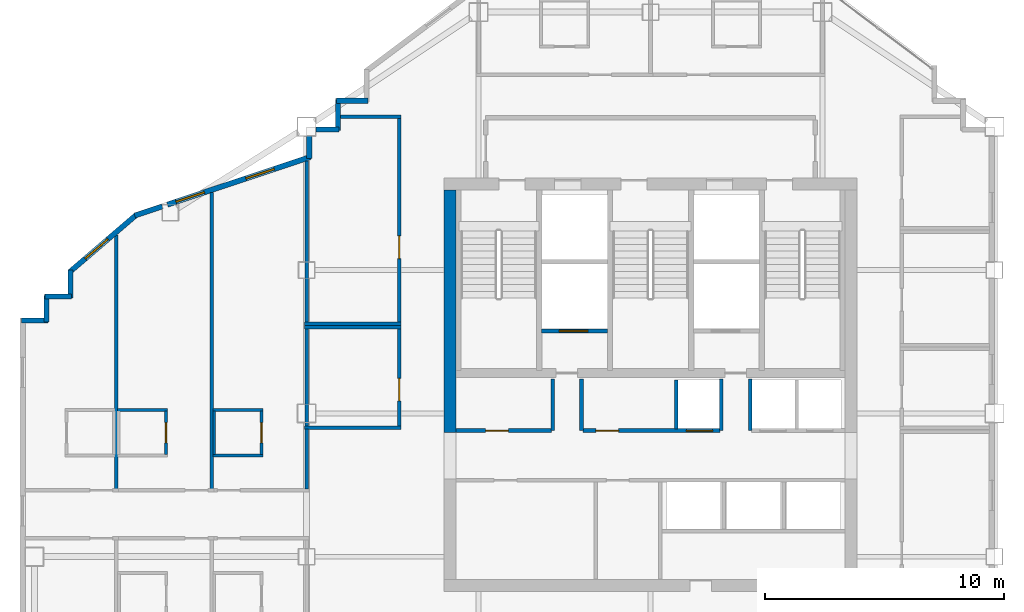
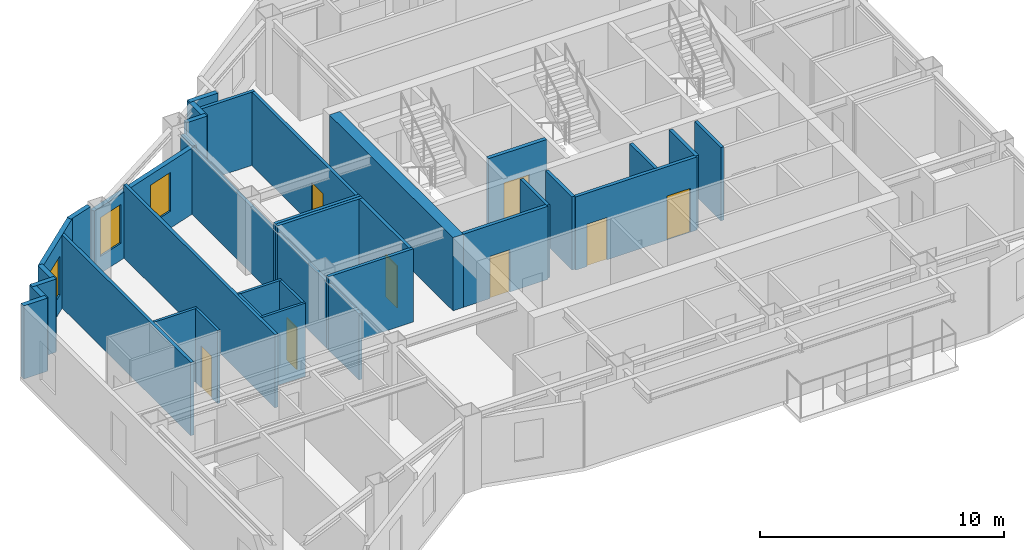
# One storey, part 6 of 10: 37 walls, 8 doors, 3 windows, 11 openings.
"""IFC4 building model written with IfcOpenShell, lengths in metres."""

from ifc_helpers import new_model, si_unit, direction, frame, frame_2d, origin, place, context, subcontext, project, spatial, rectangle, extrude, material, layer, layer_set, type_object, element, fill, save


model = new_model("IFC4")

# Units and contexts
model_context = context("Model", 3, precision=1e-05, world=origin(), true_north=direction((0.0, 1.0)))
body_context = subcontext(model_context, "Body", "Model", "MODEL_VIEW")
ifc_project = project(units=[si_unit("LENGTHUNIT", "METRE"), si_unit("AREAUNIT", "SQUARE_METRE"), si_unit("VOLUMEUNIT", "CUBIC_METRE"), si_unit("PLANEANGLEUNIT", "RADIAN"), si_unit("MASSUNIT", "GRAM", prefix="KILO")], contexts=[model_context])

# Site, building, storey
site_placement = place(None, origin())
site = spatial("IfcSite", under=ifc_project, at=site_placement, CompositionType="ELEMENT")
building_placement = place(site_placement, origin())
building = spatial("IfcBuilding", under=site, at=building_placement, Name="Haolan Belvedere Tower", CompositionType="ELEMENT")
storey_placement = place(building_placement, frame((0.0, 0.0, 258.300048828125)))
storey = spatial("IfcBuildingStorey", under=building, at=storey_placement, Name="L65", CompositionType="ELEMENT", Elevation=258.300048828125)

# Walls
ifc_material_1 = material(Name="Concrete C50/60", Category="concrete")
ifc_layer_1 = layer(ifc_material_1, 0.5, Name="Concrete C50/60")
ifc_layer_set_1 = layer_set([ifc_layer_1], Name="Concrete C50/60")
wall_type_1 = type_object("IfcWallType", Name="WL-CORE-500", PredefinedType="SHEAR", material=ifc_layer_set_1)
wall_1_placement = place(storey_placement, frame((30.0, 32.800048828125, 0.0), z_axis=(0.0, 0.0, 1.0), x_axis=(0.0, 1.0, 0.0)))
element("IfcWall", 1, at=wall_1_placement, inside=storey, type_object=wall_type_1, Name="L65 central core shear wall WN", PredefinedType="SHEAR", context=body_context, shape_type="SweptSolid", body=[
    extrude(rectangle(XDim=10.14990234375, YDim=0.5, at=frame_2d((5.074951171875, 0.0))), origin(), (0.0, 0.0, 1.0), 3.669921875),
])
ifc_material_2 = material(Name="Precast concrete C40/50", Category="concrete")
ifc_layer_2 = layer(ifc_material_2, 0.219970703125, Name="Precast concrete C40/50")
ifc_layer_set_2 = layer_set([ifc_layer_2], Name="Precast concrete C40/50")
wall_type_2 = type_object("IfcWallType", Name="WL-EXT-220", PredefinedType="SOLIDWALL", material=ifc_layer_set_2)
for number, where, z_axis, x_axis, name in (
    (2, (26.56494140625, 46.68994140625, 0.0), (0.0, 0.0, 1.0), (-1.0, 0.0, 0.0), "L65 pale-metal exterior spandrel wall 13.1"),
    (3, (25.31005859375, 46.7451171875, 0.0), (0.0, 0.0, 1.0), (0.0, -1.0, 0.0), "L65 pale-metal exterior spandrel wall 14.1"),
):
    element("IfcWall", number, at=place(storey_placement, frame(where, z_axis=z_axis, x_axis=x_axis)), inside=storey, type_object=wall_type_2, Name=name, PredefinedType="SOLIDWALL", context=body_context, shape_type="SweptSolid", body=[
        extrude(rectangle(XDim=1.31005859375, YDim=0.219970703125, at=frame_2d((0.655029296875, 0.0))), origin(), (0.0, 0.0, 1.0), 3.669921875),
    ])
wall_2_placement = place(storey_placement, frame((25.364990234375, 45.489990234375, 0.0), z_axis=(0.0, 0.0, 1.0), x_axis=(-1.0, 0.0, 0.0)))
element("IfcWall", 4, at=wall_2_placement, inside=storey, type_object=wall_type_2, Name="L65 pale-metal exterior spandrel wall 15.1", PredefinedType="SOLIDWALL", context=body_context, shape_type="SweptSolid", body=[
    extrude(rectangle(XDim=0.972900390625, YDim=0.219970703125, at=frame_2d((0.486328125, 0.0))), origin(), (0.0, 0.0, 1.0), 3.669921875),
])
wall_3_placement = place(storey_placement, frame((24.110107421875, 45.2080078125, 0.0), z_axis=(0.0, 0.0, 1.0), x_axis=(0.0, -1.0, 0.0)))
element("IfcWall", 5, at=wall_3_placement, inside=storey, type_object=wall_type_2, Name="L65 pale-metal exterior spandrel wall 16.1", PredefinedType="SOLIDWALL", context=body_context, shape_type="SweptSolid", body=[
    extrude(rectangle(XDim=0.9423828125, YDim=0.219970703125, at=frame_2d((0.47119140625, 0.0))), origin(), (0.0, 0.0, 1.0), 3.31494140625),
])

# Wall, openings, windows
wall_4_placement = place(storey_placement, frame((24.162109375, 44.338134765625, 0.0), z_axis=(0.0, 0.0, 1.0), x_axis=(-0.948687165594, -0.31621616315, 0.0)))
wall_4 = element("IfcWall", 6, at=wall_4_placement, inside=storey, type_object=wall_type_2, Name="L65 pale-metal exterior spandrel wall 17.1", PredefinedType="SOLIDWALL", context=body_context, shape_type="SweptSolid", body=[
    extrude(rectangle(XDim=6.3125, YDim=0.219970703125, at=frame_2d((3.15625, 0.0))), origin(), (0.0, 0.0, 1.0), 3.31494140625),
])
opening_1_placement = place(wall_4_placement, frame((1.60009765625, 0.0, 0.85009765625)))
opening_1 = element("IfcOpeningElement", 7, at=opening_1_placement, cuts=wall_4, Name="Opening W-04", PredefinedType="OPENING", context=body_context, shape_type="SweptSolid", body=[
    extrude(rectangle(XDim=1.25, YDim=1.949951171875, at=frame_2d((0.625, 0.97509765625))), frame((0.0, 0.119873046875, 0.0), z_axis=(0.0, -1.0, 0.0), x_axis=(1.0, 0.0, 0.0)), (0.0, 0.0, 1.0), 0.239990234375),
])
opening_2_placement = place(wall_4_placement, frame((4.68212890625, 0.0, 0.85009765625)))
opening_2 = element("IfcOpeningElement", 8, at=opening_2_placement, cuts=wall_4, Name="Opening W-04", PredefinedType="OPENING", context=body_context, shape_type="SweptSolid", body=[
    extrude(rectangle(XDim=1.25, YDim=1.949951171875, at=frame_2d((0.625, 0.97509765625))), frame((0.0, 0.119873046875, 0.0), z_axis=(0.0, -1.0, 0.0), x_axis=(1.0, 0.0, 0.0)), (0.0, 0.0, 1.0), 0.239990234375),
])
ifc_material_3 = material(Name="Anodised aluminium 6063-T6 and Low-E glass", Category="aluminium")
window_type = type_object("IfcWindowType", Name="WN-DECO-Z4", PartitioningType="SINGLE_PANEL", PredefinedType="WINDOW", material=ifc_material_3)
window_1_placement = place(opening_1_placement, origin())
window_1 = element("IfcWindow", 9, at=window_1_placement, inside=storey, type_object=window_type, Name="L65 Art Deco chevron window 1", OverallHeight=1.949951171875, OverallWidth=1.25, PartitioningType="SINGLE_PANEL", PredefinedType="WINDOW", context=body_context, shape_type="SweptSolid", body=[
    extrude(rectangle(XDim=1.25, YDim=1.949951171875, at=frame_2d((0.625, 0.97509765625))), frame((0.0, 0.030029296875, 0.0), z_axis=(0.0, -1.0, 0.0), x_axis=(1.0, 0.0, 0.0)), (0.0, 0.0, 1.0), 0.06005859375),
])
fill(opening_1, window_1)
window_2_placement = place(opening_2_placement, origin())
window_2 = element("IfcWindow", 10, at=window_2_placement, inside=storey, type_object=window_type, Name="L65 Art Deco guestroom window 1", OverallHeight=1.949951171875, OverallWidth=1.25, PartitioningType="SINGLE_PANEL", PredefinedType="WINDOW", context=body_context, shape_type="SweptSolid", body=[
    extrude(rectangle(XDim=1.25, YDim=1.949951171875, at=frame_2d((0.625, 0.97509765625))), frame((0.0, 0.030029296875, 0.0), z_axis=(0.0, -1.0, 0.0), x_axis=(1.0, 0.0, 0.0)), (0.0, 0.0, 1.0), 0.06005859375),
])
fill(opening_2, window_2)

# Wall
wall_5_placement = place(storey_placement, frame((17.9580078125, 42.27001953125, 0.0), z_axis=(0.0, 0.0, 1.0), x_axis=(-0.948683298051, -0.316227766017, 0.0)))
element("IfcWall", 11, at=wall_5_placement, inside=storey, type_object=wall_type_2, Name="L65 pale-metal exterior spandrel wall 17.2", PredefinedType="SOLIDWALL", context=body_context, shape_type="SweptSolid", body=[
    extrude(rectangle(XDim=1.217529296875, YDim=0.219970703125, at=frame_2d((0.60888671875, 0.0))), origin(), (0.0, 0.0, 1.0), 3.669921875),
])

# Wall, opening, window
wall_6_placement = place(storey_placement, frame((16.89697265625, 41.938232421875, 0.0), z_axis=(0.0, 0.0, 1.0), x_axis=(-0.759279729622, -0.650764390686, 0.0)))
wall_6 = element("IfcWall", 12, at=wall_6_placement, inside=storey, type_object=wall_type_2, Name="L65 pale-metal exterior spandrel wall 18.1", PredefinedType="SOLIDWALL", context=body_context, shape_type="SweptSolid", body=[
    extrude(rectangle(XDim=3.725830078125, YDim=0.219970703125, at=frame_2d((1.86279296875, 0.0))), origin(), (0.0, 0.0, 1.0), 3.669921875),
])
opening_3_placement = place(wall_6_placement, frame((1.60009765625, 0.0, 0.85009765625)))
opening_3 = element("IfcOpeningElement", 13, at=opening_3_placement, cuts=wall_6, Name="Opening W-04", PredefinedType="OPENING", context=body_context, shape_type="SweptSolid", body=[
    extrude(rectangle(XDim=1.25, YDim=1.949951171875, at=frame_2d((0.625, 0.97509765625))), frame((0.0, 0.119873046875, 0.0), z_axis=(0.0, -1.0, 0.0), x_axis=(1.0, 0.0, 0.0)), (0.0, 0.0, 1.0), 0.239990234375),
])
window_3_placement = place(opening_3_placement, origin())
window_3 = element("IfcWindow", 14, at=window_3_placement, inside=storey, type_object=window_type, Name="L65 Art Deco chevron window 1", OverallHeight=1.949951171875, OverallWidth=1.25, PartitioningType="SINGLE_PANEL", PredefinedType="WINDOW", context=body_context, shape_type="SweptSolid", body=[
    extrude(rectangle(XDim=1.25, YDim=1.949951171875, at=frame_2d((0.625, 0.97509765625))), frame((0.0, 0.030029296875, 0.0), z_axis=(0.0, -1.0, 0.0), x_axis=(1.0, 0.0, 0.0)), (0.0, 0.0, 1.0), 0.06005859375),
])
fill(opening_3, window_3)

# Walls
wall_7_placement = place(storey_placement, frame((14.110107421875, 39.6044921875, 0.0), z_axis=(0.0, 0.0, 1.0), x_axis=(0.0, -1.0, 0.0)))
element("IfcWall", 15, at=wall_7_placement, inside=storey, type_object=wall_type_2, Name="L65 pale-metal exterior spandrel wall 19.1", PredefinedType="SOLIDWALL", context=body_context, shape_type="SweptSolid", body=[
    extrude(rectangle(XDim=1.16943359375, YDim=0.219970703125, at=frame_2d((0.584716796875, 0.0))), origin(), (0.0, 0.0, 1.0), 3.669921875),
])
wall_8_placement = place(storey_placement, frame((14.1650390625, 38.489990234375, 0.0), z_axis=(0.0, 0.0, 1.0), x_axis=(-1.0, 0.0, 0.0)))
element("IfcWall", 16, at=wall_8_placement, inside=storey, type_object=wall_type_2, Name="L65 pale-metal exterior spandrel wall 20.1", PredefinedType="SOLIDWALL", context=body_context, shape_type="SweptSolid", body=[
    extrude(rectangle(XDim=1.110107421875, YDim=0.219970703125, at=frame_2d((0.55517578125, 0.0))), origin(), (0.0, 0.0, 1.0), 3.669921875),
])
wall_9_placement = place(storey_placement, frame((13.110107421875, 38.544921875, 0.0), z_axis=(0.0, 0.0, 1.0), x_axis=(0.0, -1.0, 0.0)))
element("IfcWall", 17, at=wall_9_placement, inside=storey, type_object=wall_type_2, Name="L65 pale-metal exterior spandrel wall 21.1", PredefinedType="SOLIDWALL", context=body_context, shape_type="SweptSolid", body=[
    extrude(rectangle(XDim=1.10986328125, YDim=0.219970703125, at=frame_2d((0.554931640625, 0.0))), origin(), (0.0, 0.0, 1.0), 3.669921875),
])
wall_10_placement = place(storey_placement, frame((13.1650390625, 37.489990234375, 0.0), z_axis=(0.0, 0.0, 1.0), x_axis=(-1.0, 0.0, 0.0)))
element("IfcWall", 18, at=wall_10_placement, inside=storey, type_object=wall_type_2, Name="L65 pale-metal exterior spandrel wall 22.1", PredefinedType="SOLIDWALL", context=body_context, shape_type="SweptSolid", body=[
    extrude(rectangle(XDim=1.110107421875, YDim=0.219970703125, at=frame_2d((0.55517578125, 0.0))), origin(), (0.0, 0.0, 1.0), 3.669921875),
])
ifc_material_4 = material(Name="Double gypsum acoustic stud partition", Category="masonry")
ifc_layer_3 = layer(ifc_material_4, 0.14990234375, Name="Double gypsum acoustic stud partition")
ifc_layer_set_3 = layer_set([ifc_layer_3], Name="Double gypsum acoustic stud partition")
wall_type_3 = type_object("IfcWallType", Name="WL-PART-150", PredefinedType="PARTITIONING", material=ifc_layer_set_3)
for number, where, z_axis, x_axis, name in (
    (19, (23.919921875, 37.199951171875, 0.0), (0.0, 0.0, 1.0), (1.0, 0.0, 0.0), "L65 interior partition IW-L65-HSK-N"),
    (20, (23.919921875, 33.0, 0.0), (0.0, 0.0, 1.0), (1.0, 0.0, 0.0), "L65 interior partition IW-L65-HSK-S"),
):
    element("IfcWall", number, at=place(storey_placement, frame(where, z_axis=z_axis, x_axis=x_axis)), inside=storey, type_object=wall_type_3, Name=name, PredefinedType="PARTITIONING", context=body_context, shape_type="SweptSolid", body=[
        extrude(rectangle(XDim=4.0400390625, YDim=0.14990234375, at=frame_2d((2.02001953125, 0.0))), origin(), (0.0, 0.0, 1.0), 3.669921875),
    ])
wall_11_placement = place(storey_placement, frame((24.0, 33.06005859375, 0.0), z_axis=(0.0, 0.0, 1.0), x_axis=(0.0, 1.0, 0.0)))
element("IfcWall", 21, at=wall_11_placement, inside=storey, type_object=wall_type_3, Name="L65 interior partition IW-L65-HSK-W", PredefinedType="PARTITIONING", context=body_context, shape_type="SweptSolid", body=[
    extrude(rectangle(XDim=4.079833984375, YDim=0.14990234375, at=frame_2d((2.0400390625, 0.0))), origin(), (0.0, 0.0, 1.0), 3.31494140625),
])

# Wall, opening, door
wall_12_placement = place(storey_placement, frame((27.8798828125, 33.06005859375, 0.0), z_axis=(0.0, 0.0, 1.0), x_axis=(0.0, 1.0, 0.0)))
wall_12 = element("IfcWall", 22, at=wall_12_placement, inside=storey, type_object=wall_type_3, Name="L65 interior partition IW-L65-HSK-E", PredefinedType="PARTITIONING", context=body_context, shape_type="SweptSolid", body=[
    extrude(rectangle(XDim=4.079833984375, YDim=0.14990234375, at=frame_2d((2.0400390625, 0.0))), origin(), (0.0, 0.0, 1.0), 3.669921875),
])
opening_4_placement = place(wall_12_placement, frame((2.010009765625, 0.0, 0.0), z_axis=(0.0, 0.0, 1.0), x_axis=(-1.0, 0.0, 0.0)))
opening_4 = element("IfcOpeningElement", 23, at=opening_4_placement, cuts=wall_12, Name="Opening ID-03", PredefinedType="OPENING", context=body_context, shape_type="SweptSolid", body=[
    extrude(rectangle(XDim=0.949951171875, YDim=2.1201171875, at=frame_2d((0.47509765625, 1.06005859375))), frame((0.0, 0.0849609375, 0.0), z_axis=(0.0, -1.0, 0.0), x_axis=(1.0, 0.0, 0.0)), (0.0, 0.0, 1.0), 0.169921875),
])
ifc_material_5 = material(Name="Painted solid-core timber", Category="wood")
door_type_1 = type_object("IfcDoorType", Name="DR-INT-950", OperationType="NOTDEFINED", PredefinedType="DOOR", material=ifc_material_5)
door_1_placement = place(opening_4_placement, origin())
door_1 = element("IfcDoor", 24, at=door_1_placement, inside=storey, type_object=door_type_1, Name="L65 door ID-L65-HSK", OperationType="SINGLE_SWING_LEFT", OverallHeight=2.1201171875, OverallWidth=0.949951171875, PredefinedType="DOOR", context=body_context, shape_type="SweptSolid", body=[
    extrude(rectangle(XDim=0.949951171875, YDim=2.1201171875, at=frame_2d((0.47509765625, 1.06005859375))), frame((0.0, 0.02490234375, 0.0), z_axis=(0.0, -1.0, 0.0), x_axis=(1.0, 0.0, 0.0)), (0.0, 0.0, 1.0), 0.050048828125),
])
fill(opening_4, door_1)

# Walls
wall_13_placement = place(storey_placement, frame((25.412109375, 46.02001953125, 0.0), z_axis=(0.0, 0.0, 1.0), x_axis=(1.0, 0.0, 0.0)))
element("IfcWall", 25, at=wall_13_placement, inside=storey, type_object=wall_type_3, Name="L65 interior partition IW-L65-MTG-N", PredefinedType="PARTITIONING", context=body_context, shape_type="SweptSolid", body=[
    extrude(rectangle(XDim=2.5478515625, YDim=0.14990234375, at=frame_2d((1.27392578125, 0.0))), origin(), (0.0, 0.0, 1.0), 3.669921875),
])
wall_14_placement = place(storey_placement, frame((23.919921875, 37.360107421875, 0.0), z_axis=(0.0, 0.0, 1.0), x_axis=(1.0, 0.0, 0.0)))
element("IfcWall", 26, at=wall_14_placement, inside=storey, type_object=wall_type_3, Name="L65 interior partition IW-L65-MTG-S", PredefinedType="PARTITIONING", context=body_context, shape_type="SweptSolid", body=[
    extrude(rectangle(XDim=4.0400390625, YDim=0.14990234375, at=frame_2d((2.02001953125, 0.0))), origin(), (0.0, 0.0, 1.0), 3.669921875),
])
wall_15_placement = place(storey_placement, frame((24.0, 37.419921875, 0.0), z_axis=(0.0, 0.0, 1.0), x_axis=(0.0, 1.0, 0.0)))
element("IfcWall", 27, at=wall_15_placement, inside=storey, type_object=wall_type_3, Name="L65 interior partition IW-L65-MTG-W", PredefinedType="PARTITIONING", context=body_context, shape_type="SweptSolid", body=[
    extrude(rectangle(XDim=6.756591796875, YDim=0.14990234375, at=frame_2d((3.37841796875, 0.0))), origin(), (0.0, 0.0, 1.0), 3.31494140625),
])

# Wall, opening, door
wall_16_placement = place(storey_placement, frame((27.8798828125, 37.419921875, 0.0), z_axis=(0.0, 0.0, 1.0), x_axis=(0.0, 1.0, 0.0)))
wall_16 = element("IfcWall", 28, at=wall_16_placement, inside=storey, type_object=wall_type_3, Name="L65 interior partition IW-L65-MTG-E", PredefinedType="PARTITIONING", context=body_context, shape_type="SweptSolid", body=[
    extrude(rectangle(XDim=8.5400390625, YDim=0.14990234375, at=frame_2d((4.27001953125, 0.0))), origin(), (0.0, 0.0, 1.0), 3.669921875),
])
opening_5_placement = place(wall_16_placement, frame((3.60986328125, 0.0, 0.0), z_axis=(0.0, 0.0, 1.0), x_axis=(-1.0, 0.0, 0.0)))
opening_5 = element("IfcOpeningElement", 29, at=opening_5_placement, cuts=wall_16, Name="Opening ID-03", PredefinedType="OPENING", context=body_context, shape_type="SweptSolid", body=[
    extrude(rectangle(XDim=0.949951171875, YDim=2.1201171875, at=frame_2d((0.47509765625, 1.06005859375))), frame((0.0, 0.0849609375, 0.0), z_axis=(0.0, -1.0, 0.0), x_axis=(1.0, 0.0, 0.0)), (0.0, 0.0, 1.0), 0.169921875),
])
door_2_placement = place(opening_5_placement, origin())
door_2 = element("IfcDoor", 30, at=door_2_placement, inside=storey, type_object=door_type_1, Name="L65 door ID-L65-MTG", OperationType="SINGLE_SWING_RIGHT", OverallHeight=2.1201171875, OverallWidth=0.949951171875, PredefinedType="DOOR", context=body_context, shape_type="SweptSolid", body=[
    extrude(rectangle(XDim=0.949951171875, YDim=2.1201171875, at=frame_2d((0.47509765625, 1.06005859375))), frame((0.0, 0.02490234375, 0.0), z_axis=(0.0, -1.0, 0.0), x_axis=(1.0, 0.0, 0.0)), (0.0, 0.0, 1.0), 0.050048828125),
])
fill(opening_5, door_2)

# Walls
wall_17_placement = place(storey_placement, frame((16.030029296875, 30.43994140625, 0.0), z_axis=(0.0, 0.0, 1.0), x_axis=(0.0, 1.0, 0.0)))
element("IfcWall", 31, at=wall_17_placement, inside=storey, type_object=wall_type_3, Name="L65 interior partition IW-L65-T2N1-E", PredefinedType="PARTITIONING", context=body_context, shape_type="SweptSolid", body=[
    extrude(rectangle(XDim=10.620849609375, YDim=0.14990234375, at=frame_2d((5.310546875, 0.0))), origin(), (0.0, 0.0, 1.0), 3.669921875),
])
wall_18_placement = place(storey_placement, frame((20.02001953125, 30.43994140625, 0.0), z_axis=(0.0, 0.0, 1.0), x_axis=(0.0, 1.0, 0.0)))
element("IfcWall", 32, at=wall_18_placement, inside=storey, type_object=wall_type_3, Name="L65 interior partition IW-L65-T2N2-E", PredefinedType="PARTITIONING", context=body_context, shape_type="SweptSolid", body=[
    extrude(rectangle(XDim=12.409912109375, YDim=0.14990234375, at=frame_2d((6.205078125, 0.0))), origin(), (0.0, 0.0, 1.0), 3.669921875),
])
wall_19_placement = place(storey_placement, frame((24.0, 30.43994140625, 0.0), z_axis=(0.0, 0.0, 1.0), x_axis=(0.0, 1.0, 0.0)))
element("IfcWall", 33, at=wall_19_placement, inside=storey, type_object=wall_type_3, Name="L65 interior partition IW-L65-T2N3-E", PredefinedType="PARTITIONING", context=body_context, shape_type="SweptSolid", body=[
    extrude(rectangle(XDim=2.5, YDim=0.14990234375, at=frame_2d((1.25, 0.0))), origin(), (0.0, 0.0, 1.0), 3.31494140625),
])
ifc_material_6 = material(Name="Gypsum fire shaftwall assembly", Category="masonry")
ifc_layer_4 = layer(ifc_material_6, 0.1650390625, Name="Gypsum fire shaftwall assembly")
ifc_layer_set_4 = layer_set([ifc_layer_4], Name="Gypsum fire shaftwall assembly")
wall_type_4 = type_object("IfcWallType", Name="WL-SHAFT-160", PredefinedType="SOLIDWALL", material=ifc_layer_set_4)
for number, where, z_axis, x_axis, name in (
    (34, (34.31005859375, 32.8798828125, 0.0), (0.0, 0.0, 1.0), (0.0, 1.0, 0.0), "L65 interior partition IW-L65-SVP-W-SV1"),
    (35, (35.510009765625, 32.8798828125, 0.0), (0.0, 0.0, 1.0), (0.0, 1.0, 0.0), "L65 interior partition IW-L65-SVP-E-SV1"),
    (36, (41.3701171875, 32.8798828125, 0.0), (0.0, 0.0, 1.0), (0.0, 1.0, 0.0), "L65 interior partition IW-L65-SVP-W-SV2"),
    (37, (42.570068359375, 32.8798828125, 0.0), (0.0, 0.0, 1.0), (0.0, 1.0, 0.0), "L65 interior partition IW-L65-SVP-E-SV2"),
):
    element("IfcWall", number, at=place(storey_placement, frame(where, z_axis=z_axis, x_axis=x_axis)), inside=storey, type_object=wall_type_4, Name=name, PredefinedType="SOLIDWALL", context=body_context, shape_type="SweptSolid", body=[
        extrude(rectangle(XDim=2.170166015625, YDim=0.14990234375, at=frame_2d((1.0849609375, 0.0))), origin(), (0.0, 0.0, 1.0), 3.669921875),
    ])

# Wall, opening, door
wall_20_placement = place(storey_placement, frame((30.25, 32.8798828125, 0.0), z_axis=(0.0, 0.0, 1.0), x_axis=(1.0, 0.0, 0.0)))
wall_20 = element("IfcWall", 38, at=wall_20_placement, inside=storey, type_object=wall_type_4, Name="L65 interior partition IW-L65-ROW-PN1", PredefinedType="SOLIDWALL", context=body_context, shape_type="SweptSolid", body=[
    extrude(rectangle(XDim=4.0, YDim=0.159912109375, at=frame_2d((2.0, 0.0))), origin(), (0.0, 0.0, 1.0), 3.669921875),
])
opening_6_placement = place(wall_20_placement, frame((2.199951171875, 0.0, 0.0), z_axis=(0.0, 0.0, 1.0), x_axis=(-1.0, 0.0, 0.0)))
opening_6 = element("IfcOpeningElement", 39, at=opening_6_placement, cuts=wall_20, Name="Opening ID-03", PredefinedType="OPENING", context=body_context, shape_type="SweptSolid", body=[
    extrude(rectangle(XDim=0.949951171875, YDim=2.1201171875, at=frame_2d((0.47509765625, 1.06005859375))), frame((0.0, 0.08984375, 0.0), z_axis=(0.0, -1.0, 0.0), x_axis=(1.0, 0.0, 0.0)), (0.0, 0.0, 1.0), 0.179931640625),
])
door_3_placement = place(opening_6_placement, origin())
door_3 = element("IfcDoor", 40, at=door_3_placement, inside=storey, type_object=door_type_1, Name="L65 door ID-L65-CD-RPLW", OperationType="SINGLE_SWING_LEFT", OverallHeight=2.1201171875, OverallWidth=0.949951171875, PredefinedType="DOOR", context=body_context, shape_type="SweptSolid", body=[
    extrude(rectangle(XDim=0.949951171875, YDim=2.1201171875, at=frame_2d((0.47509765625, 1.06005859375))), frame((0.0, 0.02490234375, 0.0), z_axis=(0.0, -1.0, 0.0), x_axis=(1.0, 0.0, 0.0)), (0.0, 0.0, 1.0), 0.050048828125),
])
fill(opening_6, door_3)

# Wall, openings, doors
wall_21_placement = place(storey_placement, frame((35.570068359375, 32.8798828125, 0.0), z_axis=(0.0, 0.0, 1.0), x_axis=(1.0, 0.0, 0.0)))
wall_21 = element("IfcWall", 41, at=wall_21_placement, inside=storey, type_object=wall_type_4, Name="L65 interior partition IW-L65-ROW-PN2", PredefinedType="SOLIDWALL", context=body_context, shape_type="SweptSolid", body=[
    extrude(rectangle(XDim=5.739990234375, YDim=0.159912109375, at=frame_2d((2.8701171875, 0.0))), origin(), (0.0, 0.0, 1.0), 3.669921875),
])
opening_7_placement = place(wall_21_placement, frame((1.489990234375, 0.0, 0.0), z_axis=(0.0, 0.0, 1.0), x_axis=(-1.0, 0.0, 0.0)))
opening_7 = element("IfcOpeningElement", 42, at=opening_7_placement, cuts=wall_21, Name="Opening ID-03", PredefinedType="OPENING", context=body_context, shape_type="SweptSolid", body=[
    extrude(rectangle(XDim=0.949951171875, YDim=2.1201171875, at=frame_2d((0.47509765625, 1.06005859375))), frame((0.0, 0.08984375, 0.0), z_axis=(0.0, -1.0, 0.0), x_axis=(1.0, 0.0, 0.0)), (0.0, 0.0, 1.0), 0.179931640625),
])
opening_8_placement = place(wall_21_placement, frame((5.43017578125, 0.0, 0.0), z_axis=(0.0, 0.0, 1.0), x_axis=(-1.0, 0.0, 0.0)))
opening_8 = element("IfcOpeningElement", 43, at=opening_8_placement, cuts=wall_21, Name="Opening LD-01", PredefinedType="OPENING", context=body_context, shape_type="SweptSolid", body=[
    extrude(rectangle(XDim=1.10009765625, YDim=2.199951171875, at=frame_2d((0.550048828125, 1.10009765625))), frame((0.0, 0.08984375, 0.0), z_axis=(0.0, -1.0, 0.0), x_axis=(1.0, 0.0, 0.0)), (0.0, 0.0, 1.0), 0.179931640625),
])
door_4_placement = place(opening_7_placement, origin())
door_4 = element("IfcDoor", 44, at=door_4_placement, inside=storey, type_object=door_type_1, Name="L65 door ID-L65-CD-RPLE", OperationType="SINGLE_SWING_RIGHT", OverallHeight=2.1201171875, OverallWidth=0.949951171875, PredefinedType="DOOR", context=body_context, shape_type="SweptSolid", body=[
    extrude(rectangle(XDim=0.949951171875, YDim=2.1201171875, at=frame_2d((0.47509765625, 1.06005859375))), frame((0.0, 0.02490234375, 0.0), z_axis=(0.0, -1.0, 0.0), x_axis=(1.0, 0.0, 0.0)), (0.0, 0.0, 1.0), 0.050048828125),
])
fill(opening_7, door_4)
ifc_material_7 = material(Name="Brushed champagne stainless steel 316L", Category="steel")
door_type_2 = type_object("IfcDoorType", Name="DR-LIFT-1100", OperationType="SLIDING_TO_LEFT", PredefinedType="DOOR", material=ifc_material_7)
door_5_placement = place(opening_8_placement, origin())
door_5 = element("IfcDoor", 45, at=door_5_placement, inside=storey, type_object=door_type_2, Name="L65 door ID-L65-LD-PH1", OperationType="SLIDING_TO_RIGHT", OverallHeight=2.199951171875, OverallWidth=1.10009765625, PredefinedType="DOOR", context=body_context, shape_type="SweptSolid", body=[
    extrude(rectangle(XDim=1.10009765625, YDim=2.199951171875, at=frame_2d((0.550048828125, 1.10009765625))), frame((0.0, 0.02490234375, 0.0), z_axis=(0.0, -1.0, 0.0), x_axis=(1.0, 0.0, 0.0)), (0.0, 0.0, 1.0), 0.050048828125),
])
fill(opening_8, door_5)

# Wall
wall_22_placement = place(storey_placement, frame((39.469970703125, 32.949951171875, 0.0), z_axis=(0.0, 0.0, 1.0), x_axis=(0.0, 1.0, 0.0)))
element("IfcWall", 46, at=wall_22_placement, inside=storey, type_object=wall_type_4, Name="L65 interior partition IW-L65-DIV-PL4R", PredefinedType="SOLIDWALL", context=body_context, shape_type="SweptSolid", body=[
    extrude(rectangle(XDim=2.050048828125, YDim=0.14990234375, at=frame_2d((1.02490234375, 0.0))), origin(), (0.0, 0.0, 1.0), 3.669921875),
])

# Wall, opening, door
ifc_layer_5 = layer(ifc_material_2, 0.179931640625, Name="Precast concrete C40/50")
ifc_layer_set_5 = layer_set([ifc_layer_5], Name="Precast concrete C40/50")
wall_type_5 = type_object("IfcWallType", Name="WL-SHAFT-180", PredefinedType="SOLIDWALL", material=ifc_layer_set_5)
wall_23_placement = place(storey_placement, frame((33.8349609375, 37.050048828125, 0.0), z_axis=(0.0, 0.0, 1.0), x_axis=(1.0, 0.0, 0.0)))
wall_23 = element("IfcWall", 47, at=wall_23_placement, inside=storey, type_object=wall_type_5, Name="L65 interior partition IW-L65-SV1-S", PredefinedType="SOLIDWALL", context=body_context, shape_type="SweptSolid", body=[
    extrude(rectangle(XDim=2.77001953125, YDim=0.179931640625, at=frame_2d((1.385009765625, 0.0))), origin(), (0.0, 0.0, 1.0), 3.669921875),
])
opening_9_placement = place(wall_23_placement, frame((1.945068359375, 0.0, 0.0), z_axis=(0.0, 0.0, 1.0), x_axis=(-1.0, 0.0, 0.0)))
opening_9 = element("IfcOpeningElement", 48, at=opening_9_placement, cuts=wall_23, Name="Opening LD-02", PredefinedType="OPENING", context=body_context, shape_type="SweptSolid", body=[
    extrude(rectangle(XDim=1.199951171875, YDim=2.199951171875, at=frame_2d((0.60009765625, 1.10009765625))), frame((0.0, 0.099853515625, 0.0), z_axis=(0.0, -1.0, 0.0), x_axis=(1.0, 0.0, 0.0)), (0.0, 0.0, 1.0), 0.199951171875),
])
door_type_3 = type_object("IfcDoorType", Name="DR-LIFT-1200", OperationType="SLIDING_TO_RIGHT", PredefinedType="DOOR", material=ifc_material_7)
door_6_placement = place(opening_9_placement, origin())
door_6 = element("IfcDoor", 49, at=door_6_placement, inside=storey, type_object=door_type_3, Name="L65 door ID-L65-LD-SV1", OperationType="SLIDING_TO_RIGHT", OverallHeight=2.199951171875, OverallWidth=1.199951171875, PredefinedType="DOOR", context=body_context, shape_type="SweptSolid", body=[
    extrude(rectangle(XDim=1.199951171875, YDim=2.199951171875, at=frame_2d((0.60009765625, 1.10009765625))), frame((0.0, 0.02490234375, 0.0), z_axis=(0.0, -1.0, 0.0), x_axis=(1.0, 0.0, 0.0)), (0.0, 0.0, 1.0), 0.050048828125),
])
fill(opening_9, door_6)

# Wall
ifc_material_8 = material(Name="Moisture-resistant gypsum tile partition", Category="masonry")
ifc_layer_6 = layer(ifc_material_8, 0.1201171875, Name="Moisture-resistant gypsum tile partition")
ifc_layer_set_6 = layer_set([ifc_layer_6], Name="Moisture-resistant gypsum tile partition")
wall_type_6 = type_object("IfcWallType", Name="WL-WET-120", PredefinedType="PARTITIONING", material=ifc_layer_set_6)
wall_24_placement = place(storey_placement, frame((16.090087890625, 33.75, 0.0), z_axis=(0.0, 0.0, 1.0), x_axis=(1.0, 0.0, 0.0)))
element("IfcWall", 50, at=wall_24_placement, inside=storey, type_object=wall_type_6, Name="L65 interior partition IW-L65-T2N2-BN", PredefinedType="PARTITIONING", context=body_context, shape_type="SweptSolid", body=[
    extrude(rectangle(XDim=2.079833984375, YDim=0.1201171875, at=frame_2d((1.0400390625, 0.0))), origin(), (0.0, 0.0, 1.0), 3.669921875),
])

# Wall, opening, door
wall_25_placement = place(storey_placement, frame((18.110107421875, 31.875, 0.0), z_axis=(0.0, 0.0, 1.0), x_axis=(0.0, 1.0, 0.0)))
wall_25 = element("IfcWall", 51, at=wall_25_placement, inside=storey, type_object=wall_type_6, Name="L65 interior partition IW-L65-T2N2-BE", PredefinedType="PARTITIONING", context=body_context, shape_type="SweptSolid", body=[
    extrude(rectangle(XDim=1.830078125, YDim=0.1201171875, at=frame_2d((0.9150390625, 0.0))), origin(), (0.0, 0.0, 1.0), 3.669921875),
])
opening_10_placement = place(wall_25_placement, frame((0.489990234375, 0.0, 0.0)))
opening_10 = element("IfcOpeningElement", 52, at=opening_10_placement, cuts=wall_25, Name="Opening ID-05", PredefinedType="OPENING", context=body_context, shape_type="SweptSolid", body=[
    extrude(rectangle(XDim=0.85009765625, YDim=2.10009765625, at=frame_2d((0.425048828125, 1.050048828125))), frame((0.0, 0.070068359375, 0.0), z_axis=(0.0, -1.0, 0.0), x_axis=(1.0, 0.0, 0.0)), (0.0, 0.0, 1.0), 0.14013671875),
])
ifc_material_9 = material(Name="Moisture-resistant lacquered timber", Category="wood")
door_type_4 = type_object("IfcDoorType", Name="DR-BATH-850", OperationType="NOTDEFINED", PredefinedType="DOOR", material=ifc_material_9)
door_7_placement = place(opening_10_placement, origin())
door_7 = element("IfcDoor", 53, at=door_7_placement, inside=storey, type_object=door_type_4, Name="L65 door ID-L65-T2N2-BATH", OperationType="SINGLE_SWING_RIGHT", OverallHeight=2.10009765625, OverallWidth=0.85009765625, PredefinedType="DOOR", context=body_context, shape_type="SweptSolid", body=[
    extrude(rectangle(XDim=0.85009765625, YDim=2.10009765625, at=frame_2d((0.425048828125, 1.050048828125))), frame((0.0, 0.02490234375, 0.0), z_axis=(0.0, -1.0, 0.0), x_axis=(1.0, 0.0, 0.0)), (0.0, 0.0, 1.0), 0.050048828125),
])
fill(opening_10, door_7)

# Walls
for number, where, z_axis, x_axis, name in (
    (54, (20.080078125, 33.75, 0.0), (0.0, 0.0, 1.0), (1.0, 0.0, 0.0), "L65 interior partition IW-L65-T2N3-BN"),
    (55, (20.080078125, 31.830078125, 0.0), (0.0, 0.0, 1.0), (1.0, 0.0, 0.0), "L65 interior partition IW-L65-T2N3-BS"),
):
    element("IfcWall", number, at=place(storey_placement, frame(where, z_axis=z_axis, x_axis=x_axis)), inside=storey, type_object=wall_type_6, Name=name, PredefinedType="PARTITIONING", context=body_context, shape_type="SweptSolid", body=[
        extrude(rectangle(XDim=2.09423828125, YDim=0.1201171875, at=frame_2d((1.047119140625, 0.0))), origin(), (0.0, 0.0, 1.0), 3.669921875),
    ])
wall_26_placement = place(storey_placement, frame((20.13427734375, 31.875, 0.0), z_axis=(0.0, 0.0, 1.0), x_axis=(0.0, 1.0, 0.0)))
element("IfcWall", 56, at=wall_26_placement, inside=storey, type_object=wall_type_6, Name="L65 interior partition IW-L65-T2N3-BW", PredefinedType="PARTITIONING", context=body_context, shape_type="SweptSolid", body=[
    extrude(rectangle(XDim=1.830078125, YDim=0.1201171875, at=frame_2d((0.9150390625, 0.0))), origin(), (0.0, 0.0, 1.0), 3.669921875),
])

# Wall, opening, door
wall_27_placement = place(storey_placement, frame((22.1142578125, 31.875, 0.0), z_axis=(0.0, 0.0, 1.0), x_axis=(0.0, 1.0, 0.0)))
wall_27 = element("IfcWall", 57, at=wall_27_placement, inside=storey, type_object=wall_type_6, Name="L65 interior partition IW-L65-T2N3-BE", PredefinedType="PARTITIONING", context=body_context, shape_type="SweptSolid", body=[
    extrude(rectangle(XDim=1.830078125, YDim=0.1201171875, at=frame_2d((0.9150390625, 0.0))), origin(), (0.0, 0.0, 1.0), 3.669921875),
])
opening_11_placement = place(wall_27_placement, frame((0.489990234375, 0.0, 0.0)))
opening_11 = element("IfcOpeningElement", 58, at=opening_11_placement, cuts=wall_27, Name="Opening ID-05", PredefinedType="OPENING", context=body_context, shape_type="SweptSolid", body=[
    extrude(rectangle(XDim=0.85009765625, YDim=2.10009765625, at=frame_2d((0.425048828125, 1.050048828125))), frame((0.0, 0.070068359375, 0.0), z_axis=(0.0, -1.0, 0.0), x_axis=(1.0, 0.0, 0.0)), (0.0, 0.0, 1.0), 0.14013671875),
])
door_8_placement = place(opening_11_placement, origin())
door_8 = element("IfcDoor", 59, at=door_8_placement, inside=storey, type_object=door_type_4, Name="L65 door ID-L65-T2N3-BATH", OperationType="SINGLE_SWING_LEFT", OverallHeight=2.10009765625, OverallWidth=0.85009765625, PredefinedType="DOOR", context=body_context, shape_type="SweptSolid", body=[
    extrude(rectangle(XDim=0.85009765625, YDim=2.10009765625, at=frame_2d((0.425048828125, 1.050048828125))), frame((0.0, 0.02490234375, 0.0), z_axis=(0.0, -1.0, 0.0), x_axis=(1.0, 0.0, 0.0)), (0.0, 0.0, 1.0), 0.050048828125),
])
fill(opening_11, door_8)

save(model, "model.ifc")
